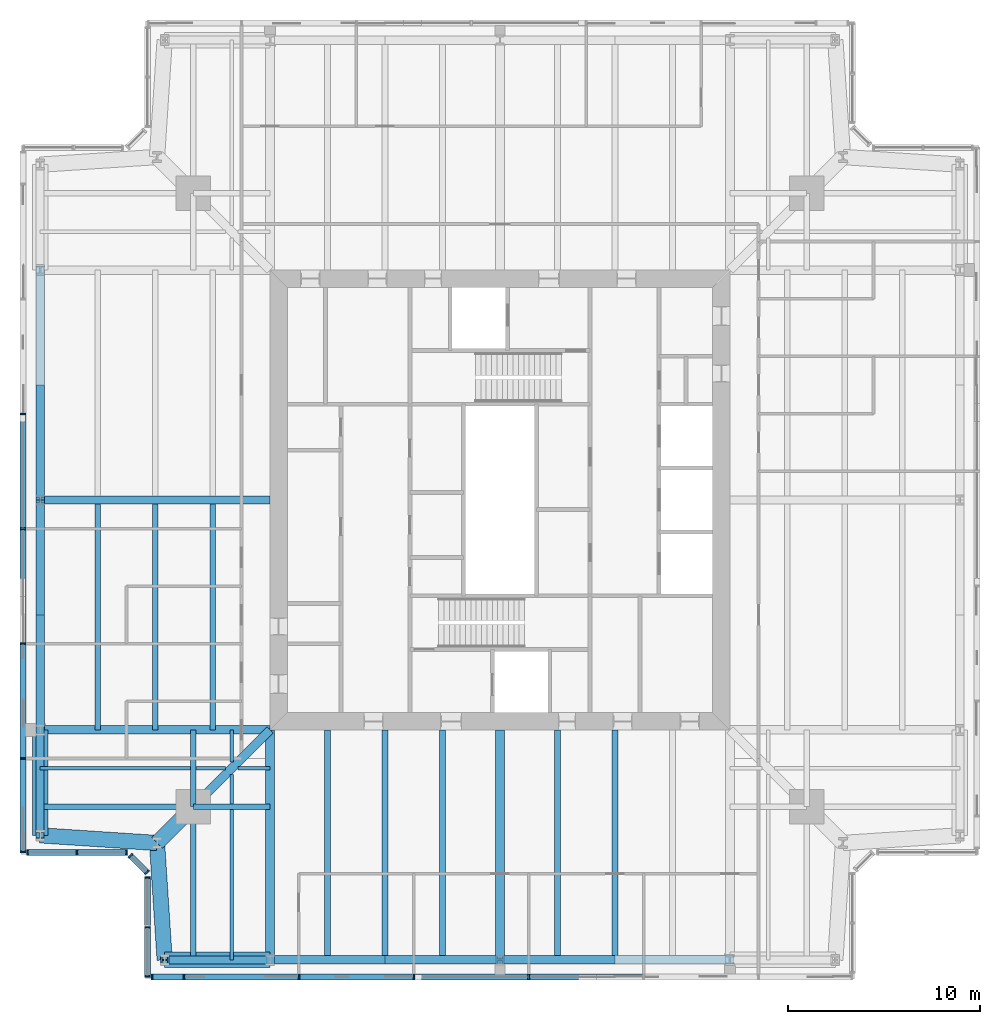
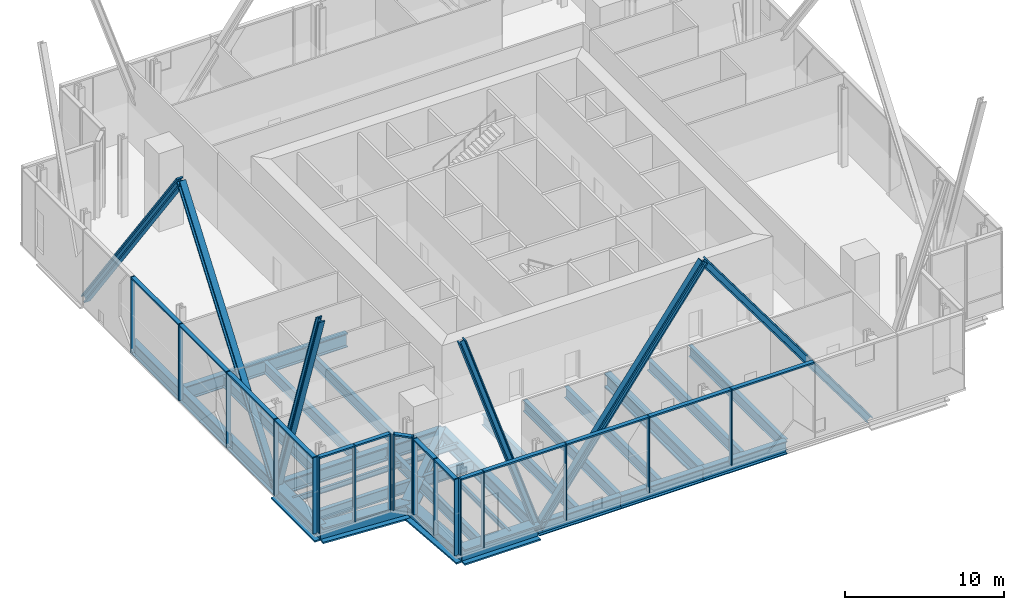
# One storey, part 2 of 20: 38 members, 34 beams, 5 elements without a shape of their own.
"""IFC4 building model written with IfcOpenShell, lengths in metres."""

from ifc_helpers import new_model, si_unit, direction, frame, origin, origin_2d, place, context, subcontext, project, spatial, rectangle, i_section, extrude, material, material_profile, profile_set, type_object, element, aggregate, save


model = new_model("IFC4")

# Units and contexts
model_context = context("Model", 3, precision=1e-05, world=origin(), true_north=direction((0.0, 1.0)))
body_context = subcontext(model_context, "Body", "Model", "MODEL_VIEW")
ifc_project = project(units=[si_unit("LENGTHUNIT", "METRE"), si_unit("AREAUNIT", "SQUARE_METRE"), si_unit("VOLUMEUNIT", "CUBIC_METRE"), si_unit("PLANEANGLEUNIT", "RADIAN"), si_unit("MASSUNIT", "GRAM", prefix="KILO")], contexts=[model_context])

# Site, building, storey
site_placement = place(None, origin())
site = spatial("IfcSite", under=ifc_project, at=site_placement, CompositionType="ELEMENT")
building_placement = place(site_placement, origin())
building = spatial("IfcBuilding", under=site, at=building_placement, Name="Fenwick Lantern Interchange", CompositionType="ELEMENT")
storey_placement = place(building_placement, frame((0.0, 0.0, 239.800048828125)))
storey = spatial("IfcBuildingStorey", under=building, at=storey_placement, Name="L56", CompositionType="ELEMENT", Elevation=239.800048828125)

# Members
ifc_material_1 = material(Name="Steel ASTM A992 Grade 50", Category="steel")
ifc_material_profile_1 = material_profile(ifc_material_1, i_section(OverallWidth=0.424072265625, OverallDepth=0.47509765625, WebThickness=0.0478515625, FlangeThickness=0.0771484375, at=origin_2d()), Name="W14X426")
ifc_profile_set_1 = profile_set([ifc_material_profile_1], Name="Steel ASTM A992 Grade 50")
member_type_1 = type_object("IfcMemberType", Name="FACADE BRACE W14X426", PredefinedType="BRACE", material=ifc_profile_set_1)
for number, where, z_axis, x_axis, name in (
    (1, (13.0, 1.0, -0.696533203125), (-0.31988030157, 0.0, 0.947457963536), (0.0, -1.0, 0.0), "L56/FB/S/AE"),
    (2, (1.0, 13.0, -0.696533203125), (0.0, -0.31988030157, 0.947457963536), (1.0, 0.0, 0.0), "L56/FB/W/BE"),
):
    element("IfcMember", number, at=place(storey_placement, frame(where, z_axis=z_axis, x_axis=x_axis)), inside=storey, type_object=member_type_1, Name=name, PredefinedType="BRACE", context=body_context, shape_type="SweptSolid", body=[
        extrude(i_section(OverallWidth=0.424072265625, OverallDepth=0.47509765625, WebThickness=0.0478515625, FlangeThickness=0.0771484375, at=origin_2d()), origin(), (0.0, 0.0, 1.0), 17.19384765625),
    ])
ifc_material_profile_2 = material_profile(ifc_material_1, i_section(OverallWidth=0.44189453125, OverallDepth=0.53076171875, WebThickness=0.06591796875, FlangeThickness=0.105712890625, at=origin_2d()), Name="W14X605")
ifc_profile_set_2 = profile_set([ifc_material_profile_2], Name="Steel ASTM A992 Grade 50")
member_type_2 = type_object("IfcMemberType", Name="FACADE BRACE W14X605", PredefinedType="BRACE", material=ifc_profile_set_2)
for number, where, z_axis, x_axis, name in (
    (3, (13.0, 1.0, -0.696533203125), (0.593085430779, 0.0, 0.805139535607), (0.0, 1.0, 0.0), "L56/FB/S/A"),
    (4, (37.0, 1.0, -0.696533203125), (-0.593085430779, 0.0, 0.805139535607), (0.0, -1.0, 0.0), "L56/FB/S/B"),
    (5, (1.0, 37.0, -0.696533203125), (0.0, -0.593085430779, 0.805139535607), (1.0, 0.0, 0.0), "L56/FB/W/A"),
    (6, (1.0, 13.0, -0.696533203125), (0.0, 0.593085430779, 0.805139535607), (-1.0, 0.0, 0.0), "L56/FB/W/B"),
):
    element("IfcMember", number, at=place(storey_placement, frame(where, z_axis=z_axis, x_axis=x_axis)), inside=storey, type_object=member_type_2, Name=name, PredefinedType="BRACE", context=body_context, shape_type="SweptSolid", body=[
        extrude(i_section(OverallWidth=0.44189453125, OverallDepth=0.53076171875, WebThickness=0.06591796875, FlangeThickness=0.105712890625, at=origin_2d()), origin(), (0.0, 0.0, 1.0), 20.233154296875),
    ])

# Beams
ifc_material_profile_3 = material_profile(ifc_material_1, i_section(OverallWidth=0.2919921875, OverallDepth=0.845703125, WebThickness=0.015380859375, FlangeThickness=0.0244140625, at=origin_2d()), Name="W33X141")
ifc_profile_set_3 = profile_set([ifc_material_profile_3], Name="Steel ASTM A992 Grade 50")
beam_type_1 = type_object("IfcBeamType", Name="FLOOR BEAM W33X141", PredefinedType="BEAM", material=ifc_profile_set_3)
for number, where, z_axis, x_axis, name in (
    (7, (16.0, 1.0, -0.623046875), (0.0, 1.0, 0.0), (-1.0, 0.0, 0.0), "L56/FR/S/R02"),
    (8, (19.0, 1.0, -0.623046875), (0.0, 1.0, 0.0), (-1.0, 0.0, 0.0), "L56/FR/S/R03"),
    (9, (22.0, 1.0, -0.623046875), (0.0, 1.0, 0.0), (-1.0, 0.0, 0.0), "L56/FR/S/R04"),
    (10, (28.0, 1.0, -0.623046875), (0.0, 1.0, 0.0), (-1.0, 0.0, 0.0), "L56/FR/S/R06"),
    (11, (31.0, 1.0, -0.623046875), (0.0, 1.0, 0.0), (-1.0, 0.0, 0.0), "L56/FR/S/R07"),
):
    element("IfcBeam", number, at=place(storey_placement, frame(where, z_axis=z_axis, x_axis=x_axis)), inside=storey, type_object=beam_type_1, Name=name, PredefinedType="BEAM", context=body_context, shape_type="SweptSolid", body=[
        extrude(i_section(OverallWidth=0.2919921875, OverallDepth=0.845703125, WebThickness=0.015380859375, FlangeThickness=0.0244140625, at=origin_2d()), origin(), (0.0, 0.0, 1.0), 12.0),
    ])
for number, where, z_axis, x_axis, name in (
    (12, (4.0, 24.79541015625, -0.623046875), (0.0, -1.0, 0.0), (1.0, 0.0, 0.0), "L56/FR/W/B04"),
    (13, (7.0, 24.79541015625, -0.623046875), (0.0, -1.0, 0.0), (1.0, 0.0, 0.0), "L56/FR/W/B05"),
    (14, (10.0, 24.79541015625, -0.623046875), (0.0, -1.0, 0.0), (1.0, 0.0, 0.0), "L56/FR/W/B06"),
):
    element("IfcBeam", number, at=place(storey_placement, frame(where, z_axis=z_axis, x_axis=x_axis)), inside=storey, type_object=beam_type_1, Name=name, PredefinedType="BEAM", context=body_context, shape_type="SweptSolid", body=[
        extrude(i_section(OverallWidth=0.2919921875, OverallDepth=0.845703125, WebThickness=0.015380859375, FlangeThickness=0.0244140625, at=origin_2d()), origin(), (0.0, 0.0, 1.0), 11.79541015625),
    ])
ifc_material_profile_4 = material_profile(ifc_material_1, i_section(OverallWidth=0.177734375, OverallDepth=0.406494140625, WebThickness=0.0078125, FlangeThickness=0.012939453125, at=origin_2d()), Name="W16X40")
ifc_profile_set_4 = profile_set([ifc_material_profile_4], Name="Steel ASTM A992 Grade 50")
beam_type_2 = type_object("IfcBeamType", Name="INFILL BEAM W16X40", PredefinedType="JOIST", material=ifc_profile_set_4)
beam_1_placement = place(storey_placement, frame((11.0, 1.0, -0.4033203125), z_axis=(0.0, 1.0, 0.0), x_axis=(-1.0, 0.0, 0.0)))
element("IfcBeam", 15, at=beam_1_placement, inside=storey, type_object=beam_type_2, Name="L56/FR/S/J1", PredefinedType="JOIST", context=body_context, shape_type="SweptSolid", body=[
    extrude(i_section(OverallWidth=0.177734375, OverallDepth=0.406494140625, WebThickness=0.0078125, FlangeThickness=0.012939453125, at=origin_2d()), origin(), (0.0, 0.0, 1.0), 7.85400390625),
])
beam_2_placement = place(storey_placement, frame((11.0, 9.14599609375, -0.4033203125), z_axis=(0.0, 1.0, 0.0), x_axis=(-1.0, 0.0, 0.0)))
element("IfcBeam", 16, at=beam_2_placement, inside=storey, type_object=beam_type_2, Name="L56/FR/S/J2", PredefinedType="JOIST", context=body_context, shape_type="SweptSolid", body=[
    extrude(i_section(OverallWidth=0.177734375, OverallDepth=0.406494140625, WebThickness=0.0078125, FlangeThickness=0.012939453125, at=origin_2d()), origin(), (0.0, 0.0, 1.0), 1.537841796875),
])
beam_3_placement = place(storey_placement, frame((11.0, 11.316162109375, -0.4033203125), z_axis=(0.0, 1.0, 0.0), x_axis=(-1.0, 0.0, 0.0)))
element("IfcBeam", 17, at=beam_3_placement, inside=storey, type_object=beam_type_2, Name="L56/FR/S/J6", PredefinedType="JOIST", context=body_context, shape_type="SweptSolid", body=[
    extrude(i_section(OverallWidth=0.177734375, OverallDepth=0.406494140625, WebThickness=0.0078125, FlangeThickness=0.012939453125, at=origin_2d()), origin(), (0.0, 0.0, 1.0), 1.683837890625),
])
beam_4_placement = place(storey_placement, frame((1.0, 11.0, -0.4033203125), z_axis=(1.0, 0.0, 0.0), x_axis=(0.0, 1.0, 0.0)))
element("IfcBeam", 18, at=beam_4_placement, inside=storey, type_object=beam_type_2, Name="L56/FR/S/J3", PredefinedType="JOIST", context=body_context, shape_type="SweptSolid", body=[
    extrude(i_section(OverallWidth=0.177734375, OverallDepth=0.406494140625, WebThickness=0.0078125, FlangeThickness=0.012939453125, at=origin_2d()), origin(), (0.0, 0.0, 1.0), 7.85400390625),
])
beam_5_placement = place(storey_placement, frame((9.14599609375, 11.0, -0.4033203125), z_axis=(1.0, 0.0, 0.0), x_axis=(0.0, 1.0, 0.0)))
element("IfcBeam", 19, at=beam_5_placement, inside=storey, type_object=beam_type_2, Name="L56/FR/S/J4", PredefinedType="JOIST", context=body_context, shape_type="SweptSolid", body=[
    extrude(i_section(OverallWidth=0.177734375, OverallDepth=0.406494140625, WebThickness=0.0078125, FlangeThickness=0.012939453125, at=origin_2d()), origin(), (0.0, 0.0, 1.0), 1.537841796875),
])
beam_6_placement = place(storey_placement, frame((11.316162109375, 11.0, -0.4033203125), z_axis=(1.0, 0.0, 0.0), x_axis=(0.0, 1.0, 0.0)))
element("IfcBeam", 20, at=beam_6_placement, inside=storey, type_object=beam_type_2, Name="L56/FR/S/J5", PredefinedType="JOIST", context=body_context, shape_type="SweptSolid", body=[
    extrude(i_section(OverallWidth=0.177734375, OverallDepth=0.406494140625, WebThickness=0.0078125, FlangeThickness=0.012939453125, at=origin_2d()), origin(), (0.0, 0.0, 1.0), 1.683837890625),
])
ifc_material_profile_5 = material_profile(ifc_material_1, i_section(OverallWidth=0.2919921875, OverallDepth=0.845703125, WebThickness=0.015380859375, FlangeThickness=0.0244140625, at=origin_2d()), Name="W33X141")
ifc_profile_set_5 = profile_set([ifc_material_profile_5], Name="Steel ASTM A992 Grade 50")
beam_type_3 = type_object("IfcBeamType", Name="MEGA COLUMN BEAM W33X141", PredefinedType="BEAM", material=ifc_profile_set_5)
for number, where, z_axis, x_axis, name in (
    (21, (9.0, 9.0, -0.623046875), (0.0, -1.0, 0.0), (1.0, 0.0, 0.0), "L56/FR/S/MB1"),
    (22, (9.0, 9.0, -0.623046875), (-1.0, 0.0, 0.0), (0.0, -1.0, 0.0), "L56/FR/S/MB2"),
):
    element("IfcBeam", number, at=place(storey_placement, frame(where, z_axis=z_axis, x_axis=x_axis)), inside=storey, type_object=beam_type_3, Name=name, PredefinedType="BEAM", context=body_context, shape_type="SweptSolid", body=[
        extrude(i_section(OverallWidth=0.2919921875, OverallDepth=0.845703125, WebThickness=0.015380859375, FlangeThickness=0.0244140625, at=origin_2d()), origin(), (0.0, 0.0, 1.0), 8.0),
    ])
for number, where, z_axis, x_axis, name in (
    (23, (9.0, 9.0, -0.623046875), (1.0, 0.0, 0.0), (0.0, 1.0, 0.0), "L56/FR/S/MB3"),
    (24, (9.0, 9.0, -0.623046875), (0.0, 1.0, 0.0), (-1.0, 0.0, 0.0), "L56/FR/S/MB4"),
):
    element("IfcBeam", number, at=place(storey_placement, frame(where, z_axis=z_axis, x_axis=x_axis)), inside=storey, type_object=beam_type_3, Name=name, PredefinedType="BEAM", context=body_context, shape_type="SweptSolid", body=[
        extrude(i_section(OverallWidth=0.2919921875, OverallDepth=0.845703125, WebThickness=0.015380859375, FlangeThickness=0.0244140625, at=origin_2d()), origin(), (0.0, 0.0, 1.0), 4.0),
    ])
ifc_material_profile_6 = material_profile(ifc_material_1, i_section(OverallWidth=0.447021484375, OverallDepth=1.0439453125, WebThickness=0.050048828125, FlangeThickness=0.08984375, at=origin_2d()), Name="W36X652")
ifc_profile_set_6 = profile_set([ifc_material_profile_6], Name="Steel ASTM A992 Grade 50")
beam_type_4 = type_object("IfcBeamType", Name="MOMENT-CONNECTED GIRDER W36X652", PredefinedType="BEAM", material=ifc_profile_set_6)
beam_7_placement = place(storey_placement, frame((1.0, 13.0, -0.721923828125), z_axis=(1.0, 0.0, 0.0), x_axis=(0.0, 1.0, 0.0)))
element("IfcBeam", 25, at=beam_7_placement, inside=storey, type_object=beam_type_4, Name="L56/FR/W/R03", PredefinedType="BEAM", context=body_context, shape_type="SweptSolid", body=[
    extrude(i_section(OverallWidth=0.447021484375, OverallDepth=1.0439453125, WebThickness=0.050048828125, FlangeThickness=0.08984375, at=origin_2d()), origin(), (0.0, 0.0, 1.0), 12.0),
])
ifc_material_profile_7 = material_profile(ifc_material_1, i_section(OverallWidth=0.472412109375, OverallDepth=1.0947265625, WebThickness=0.07666015625, FlangeThickness=0.114990234375, at=origin_2d()), Name="W36X925")
ifc_profile_set_7 = profile_set([ifc_material_profile_7], Name="Steel ASTM A992 Grade 50")
beam_type_5 = type_object("IfcBeamType", Name="MOMENT-CONNECTED GIRDER W36X925", PredefinedType="BEAM", material=ifc_profile_set_7)
for number, where, z_axis, x_axis, name in (
    (26, (13.0, 1.0, -0.747314453125), (0.0, 1.0, 0.0), (-1.0, 0.0, 0.0), "L56/FR/S/R01"),
    (27, (25.0, 1.0, -0.747314453125), (0.0, 1.0, 0.0), (-1.0, 0.0, 0.0), "L56/FR/S/R05"),
):
    element("IfcBeam", number, at=place(storey_placement, frame(where, z_axis=z_axis, x_axis=x_axis)), inside=storey, type_object=beam_type_5, Name=name, PredefinedType="BEAM", context=body_context, shape_type="SweptSolid", body=[
        extrude(i_section(OverallWidth=0.472412109375, OverallDepth=1.0947265625, WebThickness=0.07666015625, FlangeThickness=0.114990234375, at=origin_2d()), origin(), (0.0, 0.0, 1.0), 12.0),
    ])
ifc_material_profile_8 = material_profile(ifc_material_1, i_section(OverallWidth=0.408935546875, OverallDepth=1.04150390625, WebThickness=0.031005859375, FlangeThickness=0.055908203125, at=origin_2d()), Name="W40X397")
ifc_profile_set_8 = profile_set([ifc_material_profile_8], Name="Steel ASTM A992 Grade 50")
beam_type_6 = type_object("IfcBeamType", Name="MOMENT-CONNECTED GIRDER W40X397", PredefinedType="BEAM", material=ifc_profile_set_8)
beam_8_placement = place(storey_placement, frame((1.0, 25.0, -0.720703125), z_axis=(1.0, 0.0, 0.0), x_axis=(0.0, 1.0, 0.0)))
element("IfcBeam", 28, at=beam_8_placement, inside=storey, type_object=beam_type_6, Name="L56/FR/W/R02", PredefinedType="BEAM", context=body_context, shape_type="SweptSolid", body=[
    extrude(i_section(OverallWidth=0.408935546875, OverallDepth=1.04150390625, WebThickness=0.031005859375, FlangeThickness=0.055908203125, at=origin_2d()), origin(), (0.0, 0.0, 1.0), 12.0),
])
ifc_material_2 = material(Name="Steel ASTM A572 Grade 42", Category="steel")
ifc_material_profile_9 = material_profile(ifc_material_2, i_section(OverallWidth=0.800048828125, OverallDepth=1.199951171875, WebThickness=0.06005859375, FlangeThickness=0.1201171875, at=origin_2d()), Name="BU1200X800")
ifc_profile_set_9 = profile_set([ifc_material_profile_9], Name="Steel ASTM A572 Grade 42")
beam_type_7 = type_object("IfcBeamType", Name="MOMENT-CONNECTED TRANSFER GIRDER BU1200X800", PredefinedType="BEAM", material=ifc_profile_set_9)
beam_9_placement = place(storey_placement, frame((7.5, 1.0, -0.800048828125), z_axis=(1.0, 0.0, 0.0), x_axis=(0.0, 1.0, 0.0)))
element("IfcBeam", 29, at=beam_9_placement, inside=storey, type_object=beam_type_7, Name="L56/FR/S/EB1", PredefinedType="BEAM", context=body_context, shape_type="SweptSolid", body=[
    extrude(i_section(OverallWidth=0.800048828125, OverallDepth=1.199951171875, WebThickness=0.06005859375, FlangeThickness=0.1201171875, at=origin_2d()), origin(), (0.0, 0.0, 1.0), 5.5),
])
beam_10_placement = place(storey_placement, frame((9.0, 9.0, -0.800048828125), z_axis=(-0.707106781187, -0.707106781187, 0.0), x_axis=(0.707106781187, -0.707106781187, 0.0)))
element("IfcBeam", 30, at=beam_10_placement, inside=storey, type_object=beam_type_7, Name="L56/FR/S/TG", PredefinedType="BEAM", context=body_context, shape_type="SweptSolid", body=[
    extrude(i_section(OverallWidth=0.800048828125, OverallDepth=1.199951171875, WebThickness=0.06005859375, FlangeThickness=0.1201171875, at=origin_2d()), origin(), (0.0, 0.0, 1.0), 2.686767578125),
])
beam_11_placement = place(storey_placement, frame((1.0, 13.0, -0.800048828125), z_axis=(0.0, -1.0, 0.0), x_axis=(1.0, 0.0, 0.0)))
element("IfcBeam", 31, at=beam_11_placement, inside=storey, type_object=beam_type_7, Name="L56/FR/W/EB6", PredefinedType="BEAM", context=body_context, shape_type="SweptSolid", body=[
    extrude(i_section(OverallWidth=0.800048828125, OverallDepth=1.199951171875, WebThickness=0.06005859375, FlangeThickness=0.1201171875, at=origin_2d()), origin(), (0.0, 0.0, 1.0), 5.5),
])
for number, where, z_axis, x_axis, name in (
    (32, (1.0, 7.5, -0.800048828125), (0.997858060337, -0.065416293237, 0.0), (0.065416293237, 0.997858060337, 0.0), "L56/FR/W/EBR1"),
    (33, (7.10009765625, 7.10009765625, -0.800048828125), (0.065416293237, -0.997858060337, 0.0), (0.997858060337, 0.065416293237, 0.0), "L56/FR/W/EBR2"),
):
    element("IfcBeam", number, at=place(storey_placement, frame(where, z_axis=z_axis, x_axis=x_axis)), inside=storey, type_object=beam_type_7, Name=name, PredefinedType="BEAM", context=body_context, shape_type="SweptSolid", body=[
        extrude(i_section(OverallWidth=0.800048828125, OverallDepth=1.199951171875, WebThickness=0.06005859375, FlangeThickness=0.1201171875, at=origin_2d()), origin(), (0.0, 0.0, 1.0), 6.11328125),
    ])
ifc_material_profile_10 = material_profile(ifc_material_1, i_section(OverallWidth=0.447021484375, OverallDepth=1.0439453125, WebThickness=0.050048828125, FlangeThickness=0.08984375, at=origin_2d()), Name="W36X652")
ifc_profile_set_10 = profile_set([ifc_material_profile_10], Name="Steel ASTM A992 Grade 50")
beam_type_8 = type_object("IfcBeamType", Name="OUTRIGGER CHORD W36X652", PredefinedType="BEAM", material=ifc_profile_set_10)
beam_12_placement = place(storey_placement, frame((13.0, 13.0, -0.721923828125), z_axis=(-0.707106781187, -0.707106781187, 0.0), x_axis=(0.707106781187, -0.707106781187, 0.0)))
element("IfcBeam", 34, at=beam_12_placement, inside=storey, type_object=beam_type_8, Name="L56/OR/S/TC", PredefinedType="BEAM", context=body_context, shape_type="SweptSolid", body=[
    extrude(i_section(OverallWidth=0.447021484375, OverallDepth=1.0439453125, WebThickness=0.050048828125, FlangeThickness=0.08984375, at=origin_2d()), origin(), (0.0, 0.0, 1.0), 5.65673828125),
])

# Curtain wall, members
ifc_material_3 = material(Name="Aluminium curtain wall frame", Category="aluminium")
curtain_wall_type = type_object("IfcCurtainWallType", Name="SKY LOBBY GLAZING", PredefinedType="USERDEFINED", material=ifc_material_3)
curtain_wall_1_placement = place(storey_placement, origin())
curtain_wall_1 = element("IfcCurtainWall", 35, at=curtain_wall_1_placement, inside=storey, type_object=curtain_wall_type, Name="Sky lobby glazing 01", ObjectType="SKY LOBBY GLAZING", PredefinedType="USERDEFINED")
ifc_material_4 = material(Name="Aluminium extrusion", Category="aluminium")
ifc_material_profile_11 = material_profile(ifc_material_4, rectangle(XDim=0.300048828125, YDim=0.080078125, at=origin_2d()), Name="SKY LOBBY GLAZING MULLION 80 X 300")
ifc_profile_set_11 = profile_set([ifc_material_profile_11], Name="Aluminium extrusion")
member_type_3 = type_object("IfcMemberType", Name="SKY LOBBY GLAZING MULLION 80 X 300", PredefinedType="MULLION", material=ifc_profile_set_11)
member_1_placement = place(storey_placement, frame((6.840087890625, 0.10009765625, 0.0), z_axis=(0.0, 0.0, 1.0), x_axis=(0.0, 1.0, 0.0)))
member_1 = element("IfcMember", 36, at=member_1_placement, type_object=member_type_3, Name="L56/CW/01/M00", PredefinedType="MULLION", context=body_context, shape_type="SweptSolid", body=[
    extrude(rectangle(XDim=0.300048828125, YDim=0.080078125, at=origin_2d()), origin(), (0.0, 0.0, 1.0), 5.849853515625),
])
member_2_placement = place(storey_placement, frame((8.5, 0.10009765625, 0.0), z_axis=(0.0, 0.0, 1.0), x_axis=(0.0, 1.0, 0.0)))
member_2 = element("IfcMember", 37, at=member_2_placement, type_object=member_type_3, Name="L56/CW/01/M01", PredefinedType="MULLION", context=body_context, shape_type="SweptSolid", body=[
    extrude(rectangle(XDim=0.300048828125, YDim=0.080078125, at=origin_2d()), origin(), (0.0, 0.0, 1.0), 5.849853515625),
])
member_3_placement = place(storey_placement, frame((14.5, 0.10009765625, 0.0), z_axis=(0.0, 0.0, 1.0), x_axis=(0.0, 1.0, 0.0)))
member_3 = element("IfcMember", 38, at=member_3_placement, type_object=member_type_3, Name="L56/CW/01/M02", PredefinedType="MULLION", context=body_context, shape_type="SweptSolid", body=[
    extrude(rectangle(XDim=0.300048828125, YDim=0.080078125, at=origin_2d()), origin(), (0.0, 0.0, 1.0), 5.849853515625),
])
member_4_placement = place(storey_placement, frame((20.5, 0.10009765625, 0.0), z_axis=(0.0, 0.0, 1.0), x_axis=(0.0, 1.0, 0.0)))
member_4 = element("IfcMember", 39, at=member_4_placement, type_object=member_type_3, Name="L56/CW/01/M03", PredefinedType="MULLION", context=body_context, shape_type="SweptSolid", body=[
    extrude(rectangle(XDim=0.300048828125, YDim=0.080078125, at=origin_2d()), origin(), (0.0, 0.0, 1.0), 5.849853515625),
])
member_5_placement = place(storey_placement, frame((26.5, 0.10009765625, 0.0), z_axis=(0.0, 0.0, 1.0), x_axis=(0.0, 1.0, 0.0)))
member_5 = element("IfcMember", 40, at=member_5_placement, type_object=member_type_3, Name="L56/CW/01/M04", PredefinedType="MULLION", context=body_context, shape_type="SweptSolid", body=[
    extrude(rectangle(XDim=0.300048828125, YDim=0.080078125, at=origin_2d()), origin(), (0.0, 0.0, 1.0), 5.849853515625),
])

curtain_wall_2_placement = place(storey_placement, origin())
curtain_wall_2 = element("IfcCurtainWall", 41, at=curtain_wall_2_placement, inside=storey, type_object=curtain_wall_type, Name="Sky lobby glazing 13", ObjectType="SKY LOBBY GLAZING", PredefinedType="USERDEFINED")
member_6_placement = place(storey_placement, frame((0.10009765625, 29.5, 0.0), z_axis=(0.0, 0.0, 1.0), x_axis=(1.0, 0.0, 0.0)))
member_6 = element("IfcMember", 42, at=member_6_placement, type_object=member_type_3, Name="L56/CW/13/M03", PredefinedType="MULLION", context=body_context, shape_type="SweptSolid", body=[
    extrude(rectangle(XDim=0.300048828125, YDim=0.080078125, at=origin_2d()), origin(), (0.0, 0.0, 1.0), 5.849853515625),
])
member_7_placement = place(storey_placement, frame((0.10009765625, 23.5, 0.0), z_axis=(0.0, 0.0, 1.0), x_axis=(1.0, 0.0, 0.0)))
member_7 = element("IfcMember", 43, at=member_7_placement, type_object=member_type_3, Name="L56/CW/13/M04", PredefinedType="MULLION", context=body_context, shape_type="SweptSolid", body=[
    extrude(rectangle(XDim=0.300048828125, YDim=0.080078125, at=origin_2d()), origin(), (0.0, 0.0, 1.0), 5.849853515625),
])
member_8_placement = place(storey_placement, frame((0.10009765625, 17.5, 0.0), z_axis=(0.0, 0.0, 1.0), x_axis=(1.0, 0.0, 0.0)))
member_8 = element("IfcMember", 44, at=member_8_placement, type_object=member_type_3, Name="L56/CW/13/M05", PredefinedType="MULLION", context=body_context, shape_type="SweptSolid", body=[
    extrude(rectangle(XDim=0.300048828125, YDim=0.080078125, at=origin_2d()), origin(), (0.0, 0.0, 1.0), 5.849853515625),
])
member_9_placement = place(storey_placement, frame((0.10009765625, 11.5, 0.0), z_axis=(0.0, 0.0, 1.0), x_axis=(1.0, 0.0, 0.0)))
member_9 = element("IfcMember", 45, at=member_9_placement, type_object=member_type_3, Name="L56/CW/13/M06", PredefinedType="MULLION", context=body_context, shape_type="SweptSolid", body=[
    extrude(rectangle(XDim=0.300048828125, YDim=0.080078125, at=origin_2d()), origin(), (0.0, 0.0, 1.0), 5.849853515625),
])
member_10_placement = place(storey_placement, frame((0.10009765625, 6.639892578125, 0.0), z_axis=(0.0, 0.0, 1.0), x_axis=(1.0, 0.0, 0.0)))
member_10 = element("IfcMember", 46, at=member_10_placement, type_object=member_type_3, Name="L56/CW/13/M07", PredefinedType="MULLION", context=body_context, shape_type="SweptSolid", body=[
    extrude(rectangle(XDim=0.300048828125, YDim=0.080078125, at=origin_2d()), origin(), (0.0, 0.0, 1.0), 5.849853515625),
])

curtain_wall_3_placement = place(storey_placement, origin())
curtain_wall_3 = element("IfcCurtainWall", 47, at=curtain_wall_3_placement, inside=storey, type_object=curtain_wall_type, Name="Sky lobby glazing 14", ObjectType="SKY LOBBY GLAZING", PredefinedType="USERDEFINED")
member_11_placement = place(storey_placement, frame((0.340087890625, 6.60009765625, 0.0), z_axis=(0.0, 0.0, 1.0), x_axis=(0.0, 1.0, 0.0)))
member_11 = element("IfcMember", 48, at=member_11_placement, type_object=member_type_3, Name="L56/CW/14/M00", PredefinedType="MULLION", context=body_context, shape_type="SweptSolid", body=[
    extrude(rectangle(XDim=0.300048828125, YDim=0.080078125, at=origin_2d()), origin(), (0.0, 0.0, 1.0), 5.849853515625),
])
member_12_placement = place(storey_placement, frame((2.920654296875, 6.60009765625, 0.0), z_axis=(0.0, 0.0, 1.0), x_axis=(0.0, 1.0, 0.0)))
member_12 = element("IfcMember", 49, at=member_12_placement, type_object=member_type_3, Name="L56/CW/14/M01", PredefinedType="MULLION", context=body_context, shape_type="SweptSolid", body=[
    extrude(rectangle(XDim=0.300048828125, YDim=0.080078125, at=origin_2d()), origin(), (0.0, 0.0, 1.0), 5.849853515625),
])
member_13_placement = place(storey_placement, frame((5.50146484375, 6.60009765625, 0.0), z_axis=(0.0, 0.0, 1.0), x_axis=(0.0, 1.0, 0.0)))
member_13 = element("IfcMember", 50, at=member_13_placement, type_object=member_type_3, Name="L56/CW/14/M02", PredefinedType="MULLION", context=body_context, shape_type="SweptSolid", body=[
    extrude(rectangle(XDim=0.300048828125, YDim=0.080078125, at=origin_2d()), origin(), (0.0, 0.0, 1.0), 5.849853515625),
])

curtain_wall_4_placement = place(storey_placement, origin())
curtain_wall_4 = element("IfcCurtainWall", 51, at=curtain_wall_4_placement, inside=storey, type_object=curtain_wall_type, Name="Sky lobby glazing 15", ObjectType="SKY LOBBY GLAZING", PredefinedType="USERDEFINED")
member_14_placement = place(storey_placement, frame((5.711181640625, 6.43017578125, 0.0), z_axis=(0.0, 0.0, 1.0), x_axis=(0.707106781187, 0.707106781187, 0.0)))
member_14 = element("IfcMember", 52, at=member_14_placement, type_object=member_type_3, Name="L56/CW/15/M00", PredefinedType="MULLION", context=body_context, shape_type="SweptSolid", body=[
    extrude(rectangle(XDim=0.300048828125, YDim=0.080078125, at=origin_2d()), origin(), (0.0, 0.0, 1.0), 5.849853515625),
])
member_15_placement = place(storey_placement, frame((6.57177734375, 5.56982421875, 0.0), z_axis=(0.0, 0.0, 1.0), x_axis=(0.707106781187, 0.707106781187, 0.0)))
member_15 = element("IfcMember", 53, at=member_15_placement, type_object=member_type_3, Name="L56/CW/15/M01", PredefinedType="MULLION", context=body_context, shape_type="SweptSolid", body=[
    extrude(rectangle(XDim=0.300048828125, YDim=0.080078125, at=origin_2d()), origin(), (0.0, 0.0, 1.0), 5.849853515625),
])

curtain_wall_5_placement = place(storey_placement, origin())
curtain_wall_5 = element("IfcCurtainWall", 54, at=curtain_wall_5_placement, inside=storey, type_object=curtain_wall_type, Name="Sky lobby glazing 16", ObjectType="SKY LOBBY GLAZING", PredefinedType="USERDEFINED")
member_16_placement = place(storey_placement, frame((6.60009765625, 5.301513671875, 0.0), z_axis=(0.0, 0.0, 1.0), x_axis=(1.0, 0.0, 0.0)))
member_16 = element("IfcMember", 55, at=member_16_placement, type_object=member_type_3, Name="L56/CW/16/M00", PredefinedType="MULLION", context=body_context, shape_type="SweptSolid", body=[
    extrude(rectangle(XDim=0.300048828125, YDim=0.080078125, at=origin_2d()), origin(), (0.0, 0.0, 1.0), 5.849853515625),
])
member_17_placement = place(storey_placement, frame((6.60009765625, 2.720703125, 0.0), z_axis=(0.0, 0.0, 1.0), x_axis=(1.0, 0.0, 0.0)))
member_17 = element("IfcMember", 56, at=member_17_placement, type_object=member_type_3, Name="L56/CW/16/M01", PredefinedType="MULLION", context=body_context, shape_type="SweptSolid", body=[
    extrude(rectangle(XDim=0.300048828125, YDim=0.080078125, at=origin_2d()), origin(), (0.0, 0.0, 1.0), 5.849853515625),
])
member_18_placement = place(storey_placement, frame((6.60009765625, 0.139892578125, 0.0), z_axis=(0.0, 0.0, 1.0), x_axis=(1.0, 0.0, 0.0)))
member_18 = element("IfcMember", 57, at=member_18_placement, type_object=member_type_3, Name="L56/CW/16/M02", PredefinedType="MULLION", context=body_context, shape_type="SweptSolid", body=[
    extrude(rectangle(XDim=0.300048828125, YDim=0.080078125, at=origin_2d()), origin(), (0.0, 0.0, 1.0), 5.849853515625),
])

# Member
ifc_material_profile_12 = material_profile(ifc_material_4, rectangle(XDim=0.300048828125, YDim=0.1201171875, at=origin_2d()), Name="SKY LOBBY GLAZING TRANSOM 120 X 300")
ifc_profile_set_12 = profile_set([ifc_material_profile_12], Name="Aluminium extrusion")
member_type_4 = type_object("IfcMemberType", Name="SKY LOBBY GLAZING TRANSOM 120 X 300", PredefinedType="MULLION", material=ifc_profile_set_12)
member_19_placement = place(storey_placement, frame((6.8798828125, 0.10009765625, 5.7900390625), z_axis=(1.0, 0.0, 0.0), x_axis=(0.0, 1.0, 0.0)))
member_19 = element("IfcMember", 58, at=member_19_placement, type_object=member_type_4, Name="L56/CW/01/T00", PredefinedType="MULLION", context=body_context, shape_type="SweptSolid", body=[
    extrude(rectangle(XDim=0.300048828125, YDim=0.1201171875, at=origin_2d()), origin(), (0.0, 0.0, 1.0), 1.580078125),
])

member_20_placement = place(storey_placement, frame((8.5400390625, 0.10009765625, 5.7900390625), z_axis=(1.0, 0.0, 0.0), x_axis=(0.0, 1.0, 0.0)))
member_20 = element("IfcMember", 59, at=member_20_placement, type_object=member_type_4, Name="L56/CW/01/T01", PredefinedType="MULLION", context=body_context, shape_type="SweptSolid", body=[
    extrude(rectangle(XDim=0.300048828125, YDim=0.1201171875, at=origin_2d()), origin(), (0.0, 0.0, 1.0), 5.919921875),
])

member_21_placement = place(storey_placement, frame((14.5400390625, 0.10009765625, 5.7900390625), z_axis=(1.0, 0.0, 0.0), x_axis=(0.0, 1.0, 0.0)))
member_21 = element("IfcMember", 60, at=member_21_placement, type_object=member_type_4, Name="L56/CW/01/T02", PredefinedType="MULLION", context=body_context, shape_type="SweptSolid", body=[
    extrude(rectangle(XDim=0.300048828125, YDim=0.1201171875, at=origin_2d()), origin(), (0.0, 0.0, 1.0), 5.919921875),
])

member_22_placement = place(storey_placement, frame((20.5400390625, 0.10009765625, 5.7900390625), z_axis=(1.0, 0.0, 0.0), x_axis=(0.0, 1.0, 0.0)))
member_22 = element("IfcMember", 61, at=member_22_placement, type_object=member_type_4, Name="L56/CW/01/T03", PredefinedType="MULLION", context=body_context, shape_type="SweptSolid", body=[
    extrude(rectangle(XDim=0.300048828125, YDim=0.1201171875, at=origin_2d()), origin(), (0.0, 0.0, 1.0), 5.919921875),
])

member_23_placement = place(storey_placement, frame((26.5400390625, 0.10009765625, 5.7900390625), z_axis=(1.0, 0.0, 0.0), x_axis=(0.0, 1.0, 0.0)))
member_23 = element("IfcMember", 62, at=member_23_placement, type_object=member_type_4, Name="L56/CW/01/T04", PredefinedType="MULLION", context=body_context, shape_type="SweptSolid", body=[
    extrude(rectangle(XDim=0.300048828125, YDim=0.1201171875, at=origin_2d()), origin(), (0.0, 0.0, 1.0), 5.919921875),
])

aggregate(curtain_wall_1, [member_1, member_2, member_3, member_4, member_5, member_19, member_20, member_21, member_22, member_23])

member_24_placement = place(storey_placement, frame((0.10009765625, 29.4599609375, 5.7900390625), z_axis=(0.0, -1.0, 0.0), x_axis=(1.0, 0.0, 0.0)))
member_24 = element("IfcMember", 63, at=member_24_placement, type_object=member_type_4, Name="L56/CW/13/T03", PredefinedType="MULLION", context=body_context, shape_type="SweptSolid", body=[
    extrude(rectangle(XDim=0.300048828125, YDim=0.1201171875, at=origin_2d()), origin(), (0.0, 0.0, 1.0), 5.919921875),
])

member_25_placement = place(storey_placement, frame((0.10009765625, 23.4599609375, 5.7900390625), z_axis=(0.0, -1.0, 0.0), x_axis=(1.0, 0.0, 0.0)))
member_25 = element("IfcMember", 64, at=member_25_placement, type_object=member_type_4, Name="L56/CW/13/T04", PredefinedType="MULLION", context=body_context, shape_type="SweptSolid", body=[
    extrude(rectangle(XDim=0.300048828125, YDim=0.1201171875, at=origin_2d()), origin(), (0.0, 0.0, 1.0), 5.919921875),
])

member_26_placement = place(storey_placement, frame((0.10009765625, 17.4599609375, 5.7900390625), z_axis=(0.0, -1.0, 0.0), x_axis=(1.0, 0.0, 0.0)))
member_26 = element("IfcMember", 65, at=member_26_placement, type_object=member_type_4, Name="L56/CW/13/T05", PredefinedType="MULLION", context=body_context, shape_type="SweptSolid", body=[
    extrude(rectangle(XDim=0.300048828125, YDim=0.1201171875, at=origin_2d()), origin(), (0.0, 0.0, 1.0), 5.919921875),
])

member_27_placement = place(storey_placement, frame((0.10009765625, 11.4599609375, 5.7900390625), z_axis=(0.0, -1.0, 0.0), x_axis=(1.0, 0.0, 0.0)))
member_27 = element("IfcMember", 66, at=member_27_placement, type_object=member_type_4, Name="L56/CW/13/T06", PredefinedType="MULLION", context=body_context, shape_type="SweptSolid", body=[
    extrude(rectangle(XDim=0.300048828125, YDim=0.1201171875, at=origin_2d()), origin(), (0.0, 0.0, 1.0), 4.780029296875),
])

aggregate(curtain_wall_2, [member_6, member_7, member_8, member_9, member_10, member_24, member_25, member_26, member_27])

member_28_placement = place(storey_placement, frame((0.3798828125, 6.60009765625, 5.7900390625), z_axis=(1.0, 0.0, 0.0), x_axis=(0.0, 1.0, 0.0)))
member_28 = element("IfcMember", 67, at=member_28_placement, type_object=member_type_4, Name="L56/CW/14/T00", PredefinedType="MULLION", context=body_context, shape_type="SweptSolid", body=[
    extrude(rectangle(XDim=0.300048828125, YDim=0.1201171875, at=origin_2d()), origin(), (0.0, 0.0, 1.0), 2.500732421875),
])

member_29_placement = place(storey_placement, frame((2.960693359375, 6.60009765625, 5.7900390625), z_axis=(1.0, 0.0, 0.0), x_axis=(0.0, 1.0, 0.0)))
member_29 = element("IfcMember", 68, at=member_29_placement, type_object=member_type_4, Name="L56/CW/14/T01", PredefinedType="MULLION", context=body_context, shape_type="SweptSolid", body=[
    extrude(rectangle(XDim=0.300048828125, YDim=0.1201171875, at=origin_2d()), origin(), (0.0, 0.0, 1.0), 2.500732421875),
])

aggregate(curtain_wall_3, [member_11, member_12, member_13, member_28, member_29])

member_30_placement = place(storey_placement, frame((5.739501953125, 6.402099609375, 5.7900390625), z_axis=(0.706999424203, -0.707214121873, 0.0), x_axis=(0.707214121873, 0.706999424203, 0.0)))
member_30 = element("IfcMember", 69, at=member_30_placement, type_object=member_type_4, Name="L56/CW/15/T00", PredefinedType="MULLION", context=body_context, shape_type="SweptSolid", body=[
    extrude(rectangle(XDim=0.300048828125, YDim=0.1201171875, at=origin_2d()), origin(), (0.0, 0.0, 1.0), 1.13720703125),
])

aggregate(curtain_wall_4, [member_14, member_15, member_30])

member_31_placement = place(storey_placement, frame((6.60009765625, 5.261474609375, 5.7900390625), z_axis=(0.0, -1.0, 0.0), x_axis=(1.0, 0.0, 0.0)))
member_31 = element("IfcMember", 70, at=member_31_placement, type_object=member_type_4, Name="L56/CW/16/T00", PredefinedType="MULLION", context=body_context, shape_type="SweptSolid", body=[
    extrude(rectangle(XDim=0.300048828125, YDim=0.1201171875, at=origin_2d()), origin(), (0.0, 0.0, 1.0), 2.500732421875),
])

member_32_placement = place(storey_placement, frame((6.60009765625, 2.6806640625, 5.7900390625), z_axis=(0.0, -1.0, 0.0), x_axis=(1.0, 0.0, 0.0)))
member_32 = element("IfcMember", 71, at=member_32_placement, type_object=member_type_4, Name="L56/CW/16/T01", PredefinedType="MULLION", context=body_context, shape_type="SweptSolid", body=[
    extrude(rectangle(XDim=0.300048828125, YDim=0.1201171875, at=origin_2d()), origin(), (0.0, 0.0, 1.0), 2.500732421875),
])

aggregate(curtain_wall_5, [member_16, member_17, member_18, member_31, member_32])

# Beams
ifc_material_profile_13 = material_profile(ifc_material_1, i_section(OverallWidth=0.434326171875, OverallDepth=0.9931640625, WebThickness=0.0380859375, FlangeThickness=0.06396484375, at=origin_2d()), Name="W36X487")
ifc_profile_set_13 = profile_set([ifc_material_profile_13], Name="Steel ASTM A992 Grade 50")
beam_type_9 = type_object("IfcBeamType", Name="TRUSS CHORD EDGE BEAM W36X487", PredefinedType="BEAM", material=ifc_profile_set_13)
for number, where, z_axis, x_axis, name in (
    (72, (13.0, 1.0, -0.696533203125), (1.0, 0.0, 0.0), (0.0, 1.0, 0.0), "L56/FR/S/EB2"),
    (73, (19.0, 1.0, -0.696533203125), (1.0, 0.0, 0.0), (0.0, 1.0, 0.0), "L56/FR/S/EB3"),
    (74, (25.0, 1.0, -0.696533203125), (1.0, 0.0, 0.0), (0.0, 1.0, 0.0), "L56/FR/S/EB4"),
    (75, (1.0, 31.0, -0.696533203125), (0.0, -1.0, 0.0), (1.0, 0.0, 0.0), "L56/FR/W/EB3"),
    (76, (1.0, 25.0, -0.696533203125), (0.0, -1.0, 0.0), (1.0, 0.0, 0.0), "L56/FR/W/EB4"),
    (77, (1.0, 19.0, -0.696533203125), (0.0, -1.0, 0.0), (1.0, 0.0, 0.0), "L56/FR/W/EB5"),
):
    element("IfcBeam", number, at=place(storey_placement, frame(where, z_axis=z_axis, x_axis=x_axis)), inside=storey, type_object=beam_type_9, Name=name, PredefinedType="BEAM", context=body_context, shape_type="SweptSolid", body=[
        extrude(i_section(OverallWidth=0.434326171875, OverallDepth=0.9931640625, WebThickness=0.0380859375, FlangeThickness=0.06396484375, at=origin_2d()), origin(), (0.0, 0.0, 1.0), 6.0),
    ])

save(model, "model.ifc")
